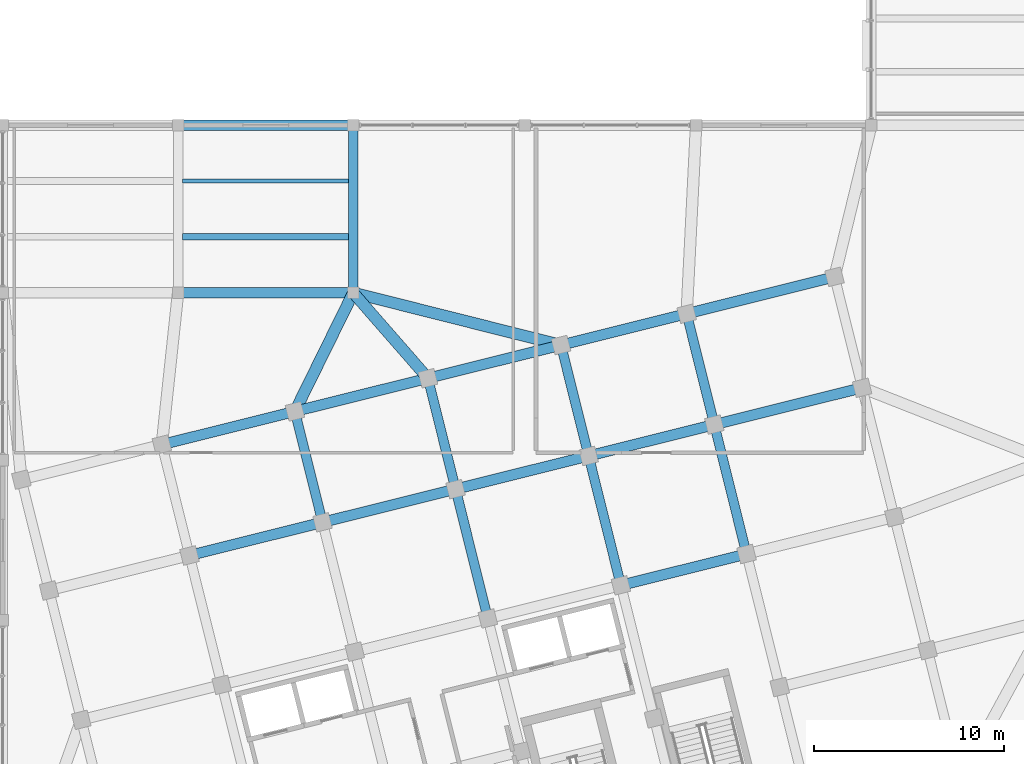
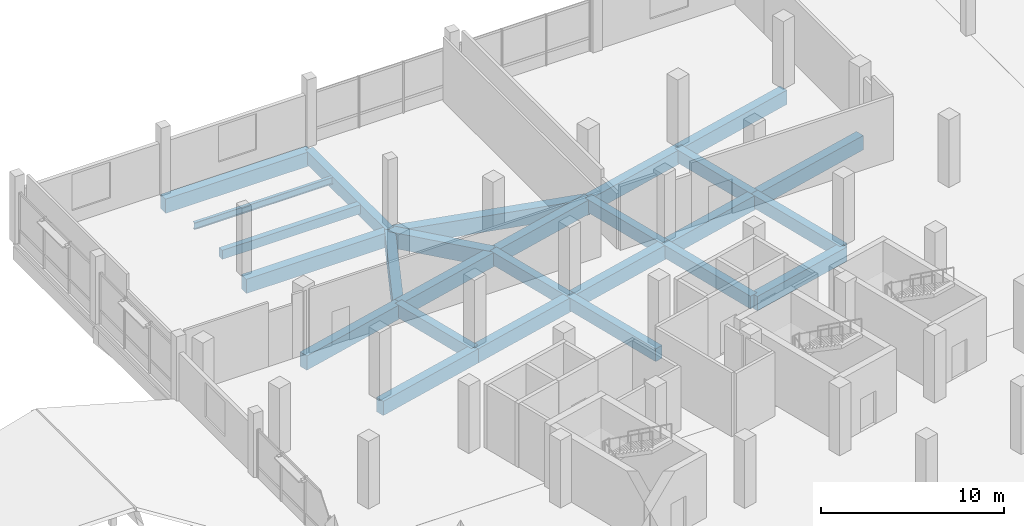
# One storey, part 39 of 77: 26 beams.
"""IFC4 building model written with IfcOpenShell, lengths in metres."""

from ifc_helpers import new_model, si_unit, direction, frame, origin, origin_2d, place, context, subcontext, project, spatial, rectangle, i_section, extrude, material, material_profile, profile_set, type_object, element, save


model = new_model("IFC4")

# Units and contexts
model_context = context("Model", 3, precision=1e-05, world=origin(), true_north=direction((0.0, 1.0)))
body_context = subcontext(model_context, "Body", "Model", "MODEL_VIEW")
ifc_project = project(units=[si_unit("LENGTHUNIT", "METRE"), si_unit("AREAUNIT", "SQUARE_METRE"), si_unit("VOLUMEUNIT", "CUBIC_METRE"), si_unit("PLANEANGLEUNIT", "RADIAN"), si_unit("MASSUNIT", "GRAM", prefix="KILO")], contexts=[model_context])

# Site, building, storey
site_placement = place(None, origin())
site = spatial("IfcSite", under=ifc_project, at=site_placement, CompositionType="ELEMENT")
building_placement = place(site_placement, origin())
building = spatial("IfcBuilding", under=site, at=building_placement, Name="Meriwether Solvik Hall", CompositionType="ELEMENT")
storey_placement = place(building_placement, frame((0.0, 0.0, 9.89990234375)))
storey = spatial("IfcBuildingStorey", under=building, at=storey_placement, Name="L02", CompositionType="ELEMENT", Elevation=9.89990234375)

# Beams
ifc_material_1 = material(Name="Concrete C40/50", Category="concrete")
ifc_material_profile_1 = material_profile(ifc_material_1, rectangle(XDim=0.35009765625, YDim=0.60009765625, at=origin_2d()), Name="RCB-350X600")
ifc_profile_set_1 = profile_set([ifc_material_profile_1], Name="Concrete C40/50")
beam_type_1 = type_object("IfcBeamType", Name="BM-RC-350X600", PredefinedType="JOIST", material=ifc_profile_set_1)
beam_1_placement = place(storey_placement, frame((68.844970703125, 86.933349609375, -0.6298828125), z_axis=(1.0, 0.0, 0.0), x_axis=(0.0, 1.0, 0.0)))
element("IfcBeam", 1, at=beam_1_placement, inside=storey, type_object=beam_type_1, Name="Secondary Floor Joist 8/J_J1 (L02)", PredefinedType="JOIST", context=body_context, shape_type="SweptSolid", body=[
    extrude(rectangle(XDim=0.35009765625, YDim=0.60009765625, at=origin_2d()), origin(), (0.0, 0.0, 1.0), 8.7099609375),
])
ifc_material_2 = material(Name="Concrete C40/50", Category="concrete")
ifc_material_profile_2 = material_profile(ifc_material_2, rectangle(XDim=0.5, YDim=0.85009765625, at=origin_2d()), Name="RCB-500X850")
ifc_profile_set_2 = profile_set([ifc_material_profile_2], Name="Concrete C40/50")
beam_type_2 = type_object("IfcBeamType", Name="BM-RC-500X850", PredefinedType="BEAM", material=ifc_profile_set_2)
beam_2_placement = place(storey_placement, frame((77.800048828125, 84.0, -0.7548828125), z_axis=(0.0, 1.0, 0.0), x_axis=(-1.0, 0.0, 0.0)))
element("IfcBeam", 2, at=beam_2_placement, inside=storey, type_object=beam_type_2, Name="Podium Girder 9:J-K (L02)", PredefinedType="BEAM", context=body_context, shape_type="SweptSolid", body=[
    extrude(rectangle(XDim=0.5, YDim=0.85009765625, at=origin_2d()), origin(), (0.0, 0.0, 1.0), 8.800048828125),
])
beam_3_placement = place(storey_placement, frame((76.1865234375, 71.94873046875, -0.7548828125), z_axis=(-0.241903677572, 0.970300268359, 0.0), x_axis=(-0.970300268359, -0.241903677572, 0.0)))
element("IfcBeam", 3, at=beam_3_placement, inside=storey, type_object=beam_type_2, Name="Tower Girder T3:TE-TF (L02)", PredefinedType="BEAM", context=body_context, shape_type="SweptSolid", body=[
    extrude(rectangle(XDim=0.5, YDim=0.85009765625, at=origin_2d()), origin(), (0.0, 0.0, 1.0), 6.0),
])
beam_4_placement = place(storey_placement, frame((84.8662109375, 66.8984375, -0.7548828125), z_axis=(-0.241936527961, 0.970292077901, 0.0), x_axis=(-0.970292077901, -0.241936527961, 0.0)))
element("IfcBeam", 4, at=beam_4_placement, inside=storey, type_object=beam_type_2, Name="Tower Girder T4:TD-TE (L02)", PredefinedType="BEAM", context=body_context, shape_type="SweptSolid", body=[
    extrude(rectangle(XDim=0.5, YDim=0.85009765625, at=origin_2d()), origin(), (0.0, 0.0, 1.0), 7.000244140625),
])
beam_5_placement = place(storey_placement, frame((83.172607421875, 73.690673828125, -0.7548828125), z_axis=(-0.241903677572, 0.970300268359, 0.0), x_axis=(-0.970300268359, -0.241903677572, 0.0)))
element("IfcBeam", 5, at=beam_5_placement, inside=storey, type_object=beam_type_2, Name="Tower Girder T4:TE-TF (L02)", PredefinedType="BEAM", context=body_context, shape_type="SweptSolid", body=[
    extrude(rectangle(XDim=0.5, YDim=0.85009765625, at=origin_2d()), origin(), (0.0, 0.0, 1.0), 6.0),
])
beam_6_placement = place(storey_placement, frame((91.852294921875, 68.640380859375, -0.7548828125), z_axis=(-0.241911879182, 0.970298223594, 0.0), x_axis=(-0.970298223594, -0.241911879182, 0.0)))
element("IfcBeam", 6, at=beam_6_placement, inside=storey, type_object=beam_type_2, Name="Tower Girder T5:TD-TE (L02)", PredefinedType="BEAM", context=body_context, shape_type="SweptSolid", body=[
    extrude(rectangle(XDim=0.5, YDim=0.85009765625, at=origin_2d()), origin(), (0.0, 0.0, 1.0), 7.0),
])
beam_7_placement = place(storey_placement, frame((90.158935546875, 75.432373046875, -0.7548828125), z_axis=(-0.241941986192, 0.970290716908, 0.0), x_axis=(-0.970290716908, -0.241941986192, 0.0)))
element("IfcBeam", 7, at=beam_7_placement, inside=storey, type_object=beam_type_2, Name="Tower Girder T5:TE-TF (L02)", PredefinedType="BEAM", context=body_context, shape_type="SweptSolid", body=[
    extrude(rectangle(XDim=0.5, YDim=0.85009765625, at=origin_2d()), origin(), (0.0, 0.0, 1.0), 6.0),
])
beam_8_placement = place(storey_placement, frame((98.4501953125, 70.285400390625, -0.7548828125), z_axis=(-0.241911879182, 0.970298223594, 0.0), x_axis=(-0.970298223594, -0.241911879182, 0.0)))
element("IfcBeam", 8, at=beam_8_placement, inside=storey, type_object=beam_type_2, Name="Tower Girder T6:TD-TE (L02)", PredefinedType="BEAM", context=body_context, shape_type="SweptSolid", body=[
    extrude(rectangle(XDim=0.5, YDim=0.85009765625, at=origin_2d()), origin(), (0.0, 0.0, 1.0), 7.0),
])
beam_9_placement = place(storey_placement, frame((96.7568359375, 77.077392578125, -0.7548828125), z_axis=(-0.241903677572, 0.970300268359, 0.0), x_axis=(-0.970300268359, -0.241903677572, 0.0)))
element("IfcBeam", 9, at=beam_9_placement, inside=storey, type_object=beam_type_2, Name="Tower Girder T6:TE-TF (L02)", PredefinedType="BEAM", context=body_context, shape_type="SweptSolid", body=[
    extrude(rectangle(XDim=0.5, YDim=0.85009765625, at=origin_2d()), origin(), (0.0, 0.0, 1.0), 6.0),
])
ifc_material_3 = material(Name="Concrete C40/50", Category="concrete")
ifc_material_profile_3 = material_profile(ifc_material_3, rectangle(XDim=0.550048828125, YDim=0.949951171875, at=origin_2d()), Name="RCB-550X950")
ifc_profile_set_3 = profile_set([ifc_material_profile_3], Name="Concrete C40/50")
beam_type_3 = type_object("IfcBeamType", Name="BM-RC-550X950", PredefinedType="BEAM", material=ifc_profile_set_3)
for number, where, z_axis, x_axis, name in (
    (10, (68.60009765625, 84.0, -0.804931640625), (1.0, 0.0, 0.0), (0.0, 1.0, 0.0), "Podium Girder J:8-9 (L02)"),
    (11, (68.60009765625, 92.800048828125, -0.804931640625), (1.0, 0.0, 0.0), (0.0, 1.0, 0.0), "Podium Girder K:8-9 (L02)"),
):
    element("IfcBeam", number, at=place(storey_placement, frame(where, z_axis=z_axis, x_axis=x_axis)), inside=storey, type_object=beam_type_3, Name=name, PredefinedType="BEAM", context=body_context, shape_type="SweptSolid", body=[
        extrude(rectangle(XDim=0.550048828125, YDim=0.949951171875, at=origin_2d()), origin(), (0.0, 0.0, 1.0), 9.199951171875),
    ])
beam_10_placement = place(storey_placement, frame((91.852294921875, 68.640380859375, -0.804931640625), z_axis=(0.970296478685, 0.241918877831, 0.0), x_axis=(-0.241918877831, 0.970296478685, 0.0)))
element("IfcBeam", 12, at=beam_10_placement, inside=storey, type_object=beam_type_3, Name="Tower Girder TD:T5-T6 (L02)", PredefinedType="BEAM", context=body_context, shape_type="SweptSolid", body=[
    extrude(rectangle(XDim=0.550048828125, YDim=0.949951171875, at=origin_2d()), origin(), (0.0, 0.0, 1.0), 6.7998046875),
])
for number, where, z_axis, x_axis, name in (
    (13, (69.200439453125, 70.206787109375, -0.804931640625), (0.970291911955, 0.241937193493, 0.0), (-0.241937193493, 0.970291911955, 0.0), "Tower Girder TE:T2-T3 (L02)"),
    (14, (76.1865234375, 71.94873046875, -0.804931640625), (0.970291911955, 0.241937193493, 0.0), (-0.241937193493, 0.970291911955, 0.0), "Tower Girder TE:T3-T4 (L02)"),
):
    element("IfcBeam", number, at=place(storey_placement, frame(where, z_axis=z_axis, x_axis=x_axis)), inside=storey, type_object=beam_type_3, Name=name, PredefinedType="BEAM", context=body_context, shape_type="SweptSolid", body=[
        extrude(rectangle(XDim=0.550048828125, YDim=0.949951171875, at=origin_2d()), origin(), (0.0, 0.0, 1.0), 7.199951171875),
    ])
beam_11_placement = place(storey_placement, frame((83.172607421875, 73.690673828125, -0.804931640625), z_axis=(0.970301855688, 0.241897310542, 0.0), x_axis=(-0.241897310542, 0.970301855688, 0.0)))
element("IfcBeam", 15, at=beam_11_placement, inside=storey, type_object=beam_type_3, Name="Tower Girder TE:T4-T5 (L02)", PredefinedType="BEAM", context=body_context, shape_type="SweptSolid", body=[
    extrude(rectangle(XDim=0.550048828125, YDim=0.949951171875, at=origin_2d()), origin(), (0.0, 0.0, 1.0), 7.2001953125),
])
beam_12_placement = place(storey_placement, frame((90.158935546875, 75.432373046875, -0.804931640625), z_axis=(0.970296478685, 0.241918877831, 0.0), x_axis=(-0.241918877831, 0.970296478685, 0.0)))
element("IfcBeam", 16, at=beam_12_placement, inside=storey, type_object=beam_type_3, Name="Tower Girder TE:T5-T6 (L02)", PredefinedType="BEAM", context=body_context, shape_type="SweptSolid", body=[
    extrude(rectangle(XDim=0.550048828125, YDim=0.949951171875, at=origin_2d()), origin(), (0.0, 0.0, 1.0), 6.7998046875),
])
beam_13_placement = place(storey_placement, frame((96.7568359375, 77.077392578125, -0.804931640625), z_axis=(0.970291312354, 0.241939598187, 0.0), x_axis=(-0.241939598187, 0.970291312354, 0.0)))
element("IfcBeam", 17, at=beam_13_placement, inside=storey, type_object=beam_type_3, Name="Tower Girder TE:T6-T7 (L02)", PredefinedType="BEAM", context=body_context, shape_type="SweptSolid", body=[
    extrude(rectangle(XDim=0.550048828125, YDim=0.949951171875, at=origin_2d()), origin(), (0.0, 0.0, 1.0), 8.000244140625),
])
for number, where, z_axis, x_axis, name in (
    (18, (67.7490234375, 76.028564453125, -0.804931640625), (0.970291911955, 0.241937193493, 0.0), (-0.241937193493, 0.970291911955, 0.0), "Tower Girder TF:T2-T3 (L02)"),
    (19, (74.735107421875, 77.7705078125, -0.804931640625), (0.970291911955, 0.241937193493, 0.0), (-0.241937193493, 0.970291911955, 0.0), "Tower Girder TF:T3-T4 (L02)"),
    (20, (81.72119140625, 79.512451171875, -0.804931640625), (0.970299871507, 0.241905269381, 0.0), (-0.241905269381, 0.970299871507, 0.0), "Tower Girder TF:T4-T5 (L02)"),
):
    element("IfcBeam", number, at=place(storey_placement, frame(where, z_axis=z_axis, x_axis=x_axis)), inside=storey, type_object=beam_type_3, Name=name, PredefinedType="BEAM", context=body_context, shape_type="SweptSolid", body=[
        extrude(rectangle(XDim=0.550048828125, YDim=0.949951171875, at=origin_2d()), origin(), (0.0, 0.0, 1.0), 7.199951171875),
    ])
beam_14_placement = place(storey_placement, frame((88.707275390625, 81.254150390625, -0.804931640625), z_axis=(0.970298579828, 0.24191045034, 0.0), x_axis=(-0.24191045034, 0.970298579828, 0.0)))
element("IfcBeam", 21, at=beam_14_placement, inside=storey, type_object=beam_type_3, Name="Tower Girder TF:T5-T6 (L02)", PredefinedType="BEAM", context=body_context, shape_type="SweptSolid", body=[
    extrude(rectangle(XDim=0.550048828125, YDim=0.949951171875, at=origin_2d()), origin(), (0.0, 0.0, 1.0), 6.800048828125),
])
beam_15_placement = place(storey_placement, frame((95.305419921875, 82.899169921875, -0.804931640625), z_axis=(0.970289525963, 0.24194676234, 0.0), x_axis=(-0.24194676234, 0.970289525963, 0.0)))
element("IfcBeam", 22, at=beam_15_placement, inside=storey, type_object=beam_type_3, Name="Tower Girder TF:T6-T7 (L02)", PredefinedType="BEAM", context=body_context, shape_type="SweptSolid", body=[
    extrude(rectangle(XDim=0.550048828125, YDim=0.949951171875, at=origin_2d()), origin(), (0.0, 0.0, 1.0), 8.0),
])
ifc_material_4 = material(Name="Concrete C40/50", Category="concrete")
ifc_material_profile_4 = material_profile(ifc_material_4, rectangle(XDim=0.60009765625, YDim=1.050048828125, at=origin_2d()), Name="RCB-600X1050")
ifc_profile_set_4 = profile_set([ifc_material_profile_4], Name="Concrete C40/50")
beam_type_4 = type_object("IfcBeamType", Name="BM-RC-600X1050", PredefinedType="BEAM", material=ifc_profile_set_4)
beam_16_placement = place(storey_placement, frame((74.735107421875, 77.7705078125, -0.85498046875), z_axis=(0.44146540955, 0.897278269084, 0.0), x_axis=(-0.897278269084, 0.44146540955, 0.0)))
element("IfcBeam", 23, at=beam_16_placement, inside=storey, type_object=beam_type_4, Name="Diaphragm Collector Girder T3/TF-9/J (L02)", PredefinedType="BEAM", context=body_context, shape_type="SweptSolid", body=[
    extrude(rectangle(XDim=0.60009765625, YDim=1.050048828125, at=origin_2d()), origin(), (0.0, 0.0, 1.0), 6.942626953125),
])
beam_17_placement = place(storey_placement, frame((81.72119140625, 79.512451171875, -0.85498046875), z_axis=(-0.657985282871, 0.7530307879, 0.0), x_axis=(-0.7530307879, -0.657985282871, 0.0)))
element("IfcBeam", 24, at=beam_17_placement, inside=storey, type_object=beam_type_4, Name="Diaphragm Collector Girder T4/TF-9/J (L02)", PredefinedType="BEAM", context=body_context, shape_type="SweptSolid", body=[
    extrude(rectangle(XDim=0.60009765625, YDim=1.050048828125, at=origin_2d()), origin(), (0.0, 0.0, 1.0), 5.959228515625),
])
beam_18_placement = place(storey_placement, frame((88.707275390625, 81.254150390625, -0.85498046875), z_axis=(-0.969742820247, 0.244128782776, 0.0), x_axis=(-0.244128782776, -0.969742820247, 0.0)))
element("IfcBeam", 25, at=beam_18_placement, inside=storey, type_object=beam_type_4, Name="Diaphragm Collector Girder T5/TF-9/J (L02)", PredefinedType="BEAM", context=body_context, shape_type="SweptSolid", body=[
    extrude(rectangle(XDim=0.60009765625, YDim=1.050048828125, at=origin_2d()), origin(), (0.0, 0.0, 1.0), 11.24755859375),
])
ifc_material_5 = material(Name="Steel A992 Grade 50", Category="steel")
ifc_material_profile_5 = material_profile(ifc_material_5, i_section(OverallWidth=0.19091796875, OverallDepth=0.45703125, WebThickness=0.009033203125, FlangeThickness=0.014404296875, at=origin_2d()), Name="W18X50")
ifc_profile_set_5 = profile_set([ifc_material_profile_5], Name="Steel A992 Grade 50")
beam_type_5 = type_object("IfcBeamType", Name="BM-STL-W18X50", PredefinedType="JOIST", material=ifc_profile_set_5)
beam_19_placement = place(storey_placement, frame((68.844970703125, 89.86669921875, -0.558349609375), z_axis=(1.0, 0.0, 0.0), x_axis=(0.0, 1.0, 0.0)))
element("IfcBeam", 26, at=beam_19_placement, inside=storey, type_object=beam_type_5, Name="Secondary Floor Joist 8/J_J2 (L02)", PredefinedType="JOIST", context=body_context, shape_type="SweptSolid", body=[
    extrude(i_section(OverallWidth=0.19091796875, OverallDepth=0.45703125, WebThickness=0.009033203125, FlangeThickness=0.014404296875, at=origin_2d()), origin(), (0.0, 0.0, 1.0), 8.7099609375),
])

save(model, "model.ifc")
